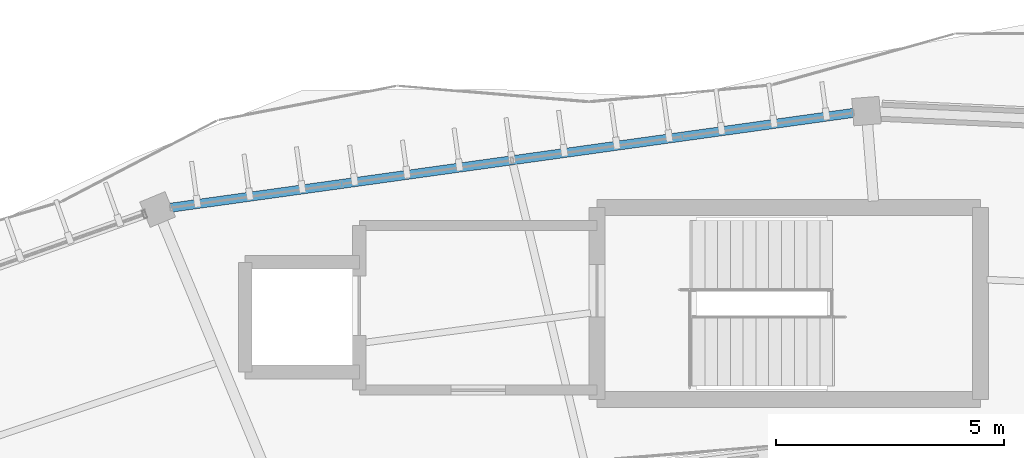
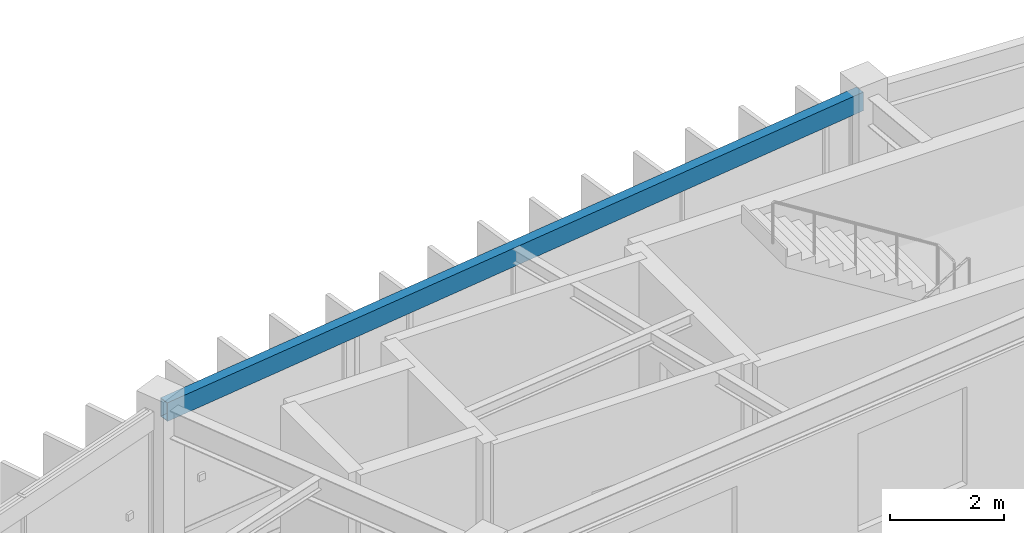
# One storey, part 43 of 83: 1 beam.
"""IFC4 building model written with IfcOpenShell, lengths in metres."""

from ifc_helpers import new_model, si_unit, direction, frame, origin, origin_2d, place, context, subcontext, project, spatial, hollow_rectangle, extrude, material, material_profile, profile_set, type_object, element, save


model = new_model("IFC4")

# Units and contexts
model_context = context("Model", 3, precision=1e-05, world=origin(), true_north=direction((0.0, 1.0)))
body_context = subcontext(model_context, "Body", "Model", "MODEL_VIEW")
ifc_project = project(units=[si_unit("LENGTHUNIT", "METRE"), si_unit("AREAUNIT", "SQUARE_METRE"), si_unit("VOLUMEUNIT", "CUBIC_METRE"), si_unit("PLANEANGLEUNIT", "RADIAN"), si_unit("MASSUNIT", "GRAM", prefix="KILO"), si_unit("THERMODYNAMICTEMPERATUREUNIT", "KELVIN"), si_unit("POWERUNIT", "WATT")], contexts=[model_context])

# Site, building, storey
site_placement = place(None, origin())
site = spatial("IfcSite", under=ifc_project, at=site_placement, CompositionType="ELEMENT")
building_placement = place(site_placement, origin())
building = spatial("IfcBuilding", under=site, at=building_placement, Name="Darbajah Civic Hall", CompositionType="ELEMENT")
storey_placement = place(building_placement, frame((0.0, 0.0, 18.0)))
storey = spatial("IfcBuildingStorey", under=building, at=storey_placement, Name="L04", CompositionType="ELEMENT", Elevation=18.0)

# Beam
ifc_material = material(Name="Steel S355JR", Category="steel")
ifc_material_profile = material_profile(ifc_material, hollow_rectangle(XDim=0.199951171875, YDim=0.39990234375, WallThickness=0.013916015625, at=origin_2d()), Name="RHS 400x200x14")
ifc_profile_set = profile_set([ifc_material_profile], Name="Steel S355JR")
beam_type = type_object("IfcBeamType", Name="RHS 400x200x14", PredefinedType="SPANDREL", material=ifc_profile_set)
beam_placement = place(storey_placement, frame((85.019287109375, 119.197998046875, 3.719970703125), z_axis=(-0.990495253006, -0.137546914804, 0.0), x_axis=(0.137546914804, -0.990495253006, 0.0)))
element("IfcBeam", 1, at=beam_placement, inside=storey, type_object=beam_type, Name="L04 beam SP-RHS400", PredefinedType="SPANDREL", context=body_context, shape_type="SweptSolid", body=[
    extrude(hollow_rectangle(XDim=0.199951171875, YDim=0.39990234375, WallThickness=0.013916015625, at=origin_2d()), origin(), (0.0, 0.0, 1.0), 15.50439453125),
])

save(model, "model.ifc")
